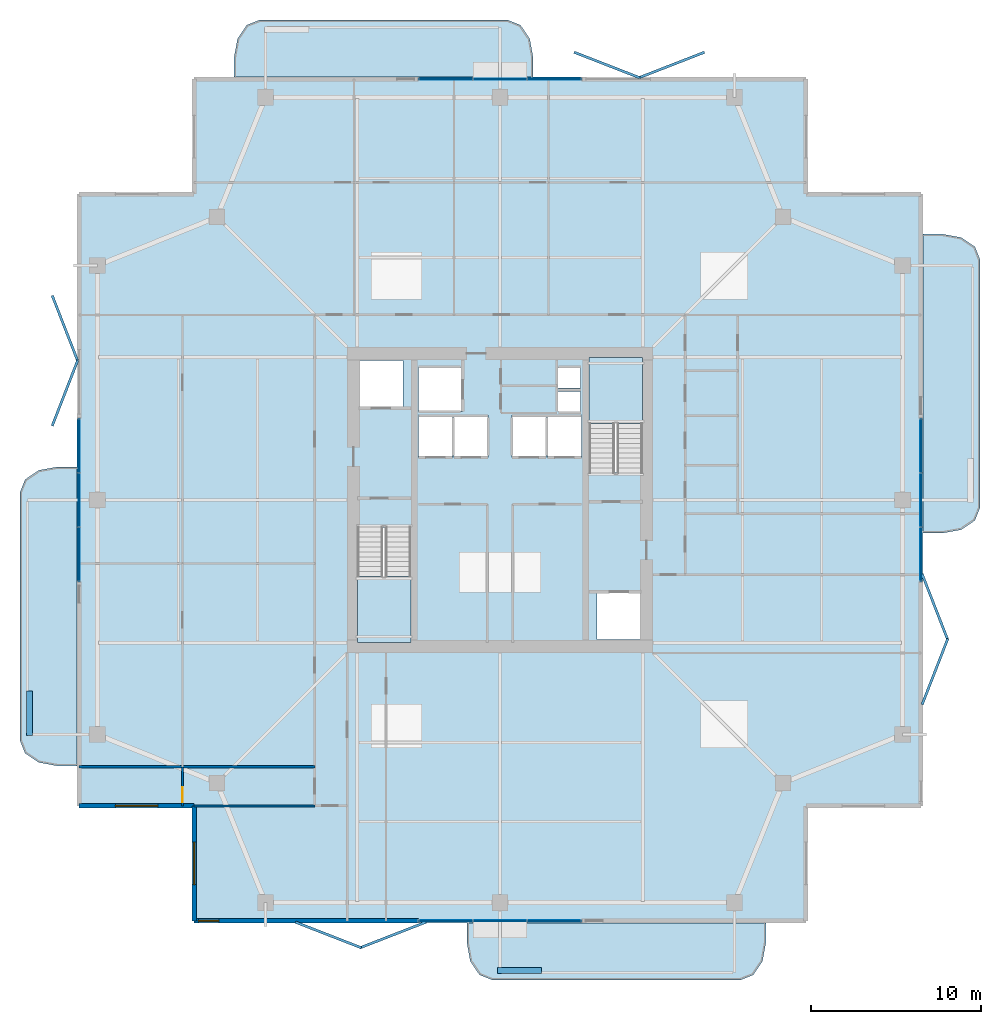
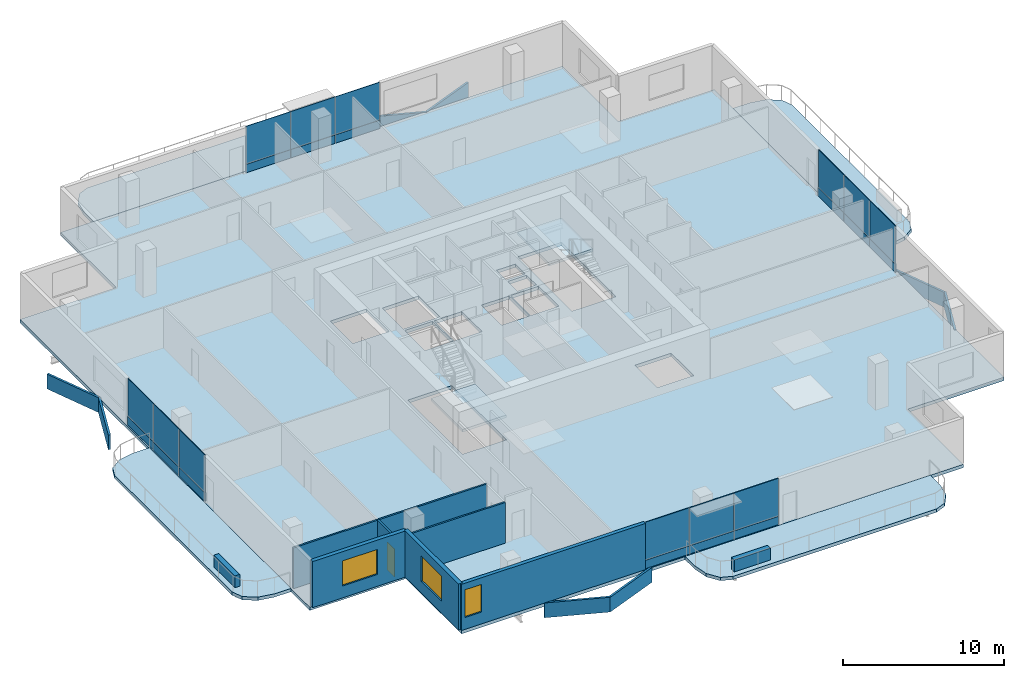
# One storey, part 17 of 25: 32 plates, 8 walls, 7 slabs, 3 windows, 1 door, 4 openings, 6 elements without a shape of their own.
"""IFC4 building model written with IfcOpenShell, lengths in metres."""

from ifc_helpers import new_model, si_unit, direction, frame, frame_2d, origin, origin_2d, place, context, subcontext, project, spatial, polyline, rectangle, outline, extrude, material, layer, layer_set, type_object, element, fill, aggregate, save


model = new_model("IFC4")

# Units and contexts
model_context = context("Model", 3, precision=1e-05, world=origin(), true_north=direction((0.0, 1.0)))
body_context = subcontext(model_context, "Body", "Model", "MODEL_VIEW")
ifc_project = project(units=[si_unit("LENGTHUNIT", "METRE"), si_unit("AREAUNIT", "SQUARE_METRE"), si_unit("VOLUMEUNIT", "CUBIC_METRE"), si_unit("PLANEANGLEUNIT", "RADIAN"), si_unit("MASSUNIT", "GRAM", prefix="KILO")], contexts=[model_context])

# Site, building, storey
site_placement = place(None, origin())
site = spatial("IfcSite", under=ifc_project, at=site_placement, CompositionType="ELEMENT")
building_placement = place(site_placement, origin())
building = spatial("IfcBuilding", under=site, at=building_placement, Name="Belovzor Exchange Tower", CompositionType="ELEMENT")
storey_placement = place(building_placement, frame((0.0, 0.0, 269.10009765625)))
storey = spatial("IfcBuildingStorey", under=building, at=storey_placement, Name="L67", CompositionType="ELEMENT", Elevation=269.10009765625)

# Slab
ifc_material_1 = material(Name="Concrete C40/50", Category="concrete")
ifc_layer_1 = layer(ifc_material_1, 0.25)
ifc_layer_set_1 = layer_set([ifc_layer_1], Name="Concrete C40/50")
slab_type_1 = type_object("IfcSlabType", Name="Composite Concrete Floor Deck Slab 250", PredefinedType="FLOOR", material=ifc_layer_set_1)
slab_1_placement = place(storey_placement, frame((0.0, 0.0, -0.25)))
element("IfcSlab", 1, at=slab_1_placement, inside=storey, type_object=slab_type_1, Name="SL-F250 Structural Slab L67", PredefinedType="FLOOR", context=body_context, shape_type="SweptSolid", body=[
    extrude(outline(polyline([(10.800048828125, 3.89990234375), (46.800048828125, 3.89990234375), (46.800048828125, 10.800048828125), (53.699951171875, 10.800048828125), (53.699951171875, 46.800048828125), (46.800048828125, 46.800048828125), (46.800048828125, 53.699951171875), (10.800048828125, 53.699951171875), (10.800048828125, 46.800048828125), (3.89990234375, 46.800048828125), (3.89990234375, 10.800048828125), (10.800048828125, 10.800048828125), (10.800048828125, 3.89990234375)]), holes=[polyline([(20.39990234375, 27.175048828125), (20.39990234375, 20.39990234375), (23.550048828125, 20.39990234375), (23.550048828125, 27.175048828125), (20.39990234375, 27.175048828125)]), polyline([(37.199951171875, 30.425048828125), (37.199951171875, 37.199951171875), (34.050048828125, 37.199951171875), (34.050048828125, 30.425048828125), (37.199951171875, 30.425048828125)]), polyline([(20.5, 34.199951171875), (23.10009765625, 34.199951171875), (23.10009765625, 37.0), (20.5, 37.0), (20.5, 34.199951171875)]), polyline([(34.5, 20.60009765625), (37.10009765625, 20.60009765625), (37.10009765625, 23.39990234375), (34.5, 23.39990234375), (34.5, 20.60009765625)]), polyline([(24.0, 34.0), (26.60009765625, 34.0), (26.60009765625, 36.60009765625), (24.0, 36.60009765625), (24.0, 34.0)]), polyline([(24.0, 31.300048828125), (26.0, 31.300048828125), (26.0, 33.800048828125), (24.0, 33.800048828125), (24.0, 31.300048828125)]), polyline([(26.10009765625, 31.300048828125), (28.10009765625, 31.300048828125), (28.10009765625, 33.800048828125), (26.10009765625, 33.800048828125), (26.10009765625, 31.300048828125)]), polyline([(29.5, 31.300048828125), (31.5, 31.300048828125), (31.5, 33.800048828125), (29.5, 33.800048828125), (29.5, 31.300048828125)]), polyline([(31.60009765625, 31.300048828125), (33.60009765625, 31.300048828125), (33.60009765625, 33.800048828125), (31.60009765625, 33.800048828125), (31.60009765625, 31.300048828125)]), polyline([(32.199951171875, 34.0), (33.550048828125, 34.0), (33.550048828125, 35.199951171875), (32.199951171875, 35.199951171875), (32.199951171875, 34.0)]), polyline([(32.199951171875, 35.39990234375), (33.550048828125, 35.39990234375), (33.550048828125, 36.60009765625), (32.199951171875, 36.60009765625), (32.199951171875, 35.39990234375)])]), origin(), (0.0, 0.0, 1.0), 0.25),
])

# Curtain wall, plates
ifc_material_2 = material(Name="Anodised Aluminium Framing", Category="aluminium")
ifc_layer_2 = layer(ifc_material_2, 0.179931640625)
ifc_layer_set_2 = layer_set([ifc_layer_2], Name="Anodised Aluminium Framing")
curtain_wall_type = type_object("IfcCurtainWallType", Name="Recessed Loggia Low-Iron Triple-Glazed Curtain Wall", PredefinedType="NOTDEFINED", material=ifc_layer_set_2)
curtain_wall_1_placement = place(storey_placement, origin())
curtain_wall_1 = element("IfcCurtainWall", 2, at=curtain_wall_1_placement, inside=storey, type_object=curtain_wall_type, Name="CW3 Recessed Loggia Low-Iron Triple-Glazed Curtain Wall L67", PredefinedType="NOTDEFINED")
ifc_material_3 = material(Name="Solar-Control Triple Glazing", Category="glass")
ifc_layer_3 = layer(ifc_material_3, 0.0439453125)
ifc_layer_set_3 = layer_set([ifc_layer_3], Name="Solar-Control Triple Glazing")
plate_type_1 = type_object("IfcPlateType", Name="Insulated Solar Glazing Curtain Panel 44", PredefinedType="CURTAIN_PANEL", material=ifc_layer_set_3)
plate_1_placement = place(storey_placement, frame((32.0, 4.030029296875, 0.6318359375), z_axis=(0.0, 0.0, 1.0), x_axis=(-1.0, 0.0, 0.0)))
plate_1 = element("IfcPlate", 3, at=plate_1_placement, type_object=plate_type_1, Name="GLZ-44 Glazed Curtain Panel 1", PredefinedType="CURTAIN_PANEL", context=body_context, shape_type="SweptSolid", body=[
    extrude(rectangle(XDim=3.18408203125, YDim=0.0439453125, at=origin_2d()), origin(), (0.0, 0.0, 1.0), 2.867919921875),
])
plate_2_placement = place(storey_placement, frame((28.800048828125, 4.030029296875, 0.6318359375), z_axis=(0.0, 0.0, 1.0), x_axis=(-1.0, 0.0, 0.0)))
plate_2 = element("IfcPlate", 4, at=plate_2_placement, type_object=plate_type_1, Name="GLZ-44 Glazed Curtain Panel 2", PredefinedType="CURTAIN_PANEL", context=body_context, shape_type="SweptSolid", body=[
    extrude(rectangle(XDim=3.18408203125, YDim=0.0439453125, at=origin_2d()), origin(), (0.0, 0.0, 1.0), 2.867919921875),
])
plate_3_placement = place(storey_placement, frame((25.60009765625, 4.030029296875, 0.6318359375), z_axis=(0.0, 0.0, 1.0), x_axis=(-1.0, 0.0, 0.0)))
plate_3 = element("IfcPlate", 5, at=plate_3_placement, type_object=plate_type_1, Name="GLZ-44 Glazed Curtain Panel 3", PredefinedType="CURTAIN_PANEL", context=body_context, shape_type="SweptSolid", body=[
    extrude(rectangle(XDim=3.18408203125, YDim=0.0439453125, at=origin_2d()), origin(), (0.0, 0.0, 1.0), 2.867919921875),
])

curtain_wall_2_placement = place(storey_placement, origin())
curtain_wall_2 = element("IfcCurtainWall", 6, at=curtain_wall_2_placement, inside=storey, type_object=curtain_wall_type, Name="CW3 Recessed Loggia Low-Iron Triple-Glazed Curtain Wall L67", PredefinedType="NOTDEFINED")
plate_4_placement = place(storey_placement, frame((25.60009765625, 53.570068359375, 0.6318359375), z_axis=(0.0, 0.0, 1.0), x_axis=(1.0, 0.0, 0.0)))
plate_4 = element("IfcPlate", 7, at=plate_4_placement, type_object=plate_type_1, Name="GLZ-44 Glazed Curtain Panel 1", PredefinedType="CURTAIN_PANEL", context=body_context, shape_type="SweptSolid", body=[
    extrude(rectangle(XDim=3.18408203125, YDim=0.0439453125, at=origin_2d()), origin(), (0.0, 0.0, 1.0), 2.867919921875),
])
plate_5_placement = place(storey_placement, frame((28.800048828125, 53.570068359375, 0.6318359375), z_axis=(0.0, 0.0, 1.0), x_axis=(1.0, 0.0, 0.0)))
plate_5 = element("IfcPlate", 8, at=plate_5_placement, type_object=plate_type_1, Name="GLZ-44 Glazed Curtain Panel 2", PredefinedType="CURTAIN_PANEL", context=body_context, shape_type="SweptSolid", body=[
    extrude(rectangle(XDim=3.18408203125, YDim=0.0439453125, at=origin_2d()), origin(), (0.0, 0.0, 1.0), 2.867919921875),
])
plate_6_placement = place(storey_placement, frame((32.0, 53.570068359375, 0.6318359375), z_axis=(0.0, 0.0, 1.0), x_axis=(1.0, 0.0, 0.0)))
plate_6 = element("IfcPlate", 9, at=plate_6_placement, type_object=plate_type_1, Name="GLZ-44 Glazed Curtain Panel 3", PredefinedType="CURTAIN_PANEL", context=body_context, shape_type="SweptSolid", body=[
    extrude(rectangle(XDim=3.18408203125, YDim=0.0439453125, at=origin_2d()), origin(), (0.0, 0.0, 1.0), 2.867919921875),
])

curtain_wall_3_placement = place(storey_placement, origin())
curtain_wall_3 = element("IfcCurtainWall", 10, at=curtain_wall_3_placement, inside=storey, type_object=curtain_wall_type, Name="CW3 Recessed Loggia Low-Iron Triple-Glazed Curtain Wall L67", PredefinedType="NOTDEFINED")
plate_7_placement = place(storey_placement, frame((4.030029296875, 25.60009765625, 0.6318359375), z_axis=(0.0, 0.0, 1.0), x_axis=(0.0, 1.0, 0.0)))
plate_7 = element("IfcPlate", 11, at=plate_7_placement, type_object=plate_type_1, Name="GLZ-44 Glazed Curtain Panel 1", PredefinedType="CURTAIN_PANEL", context=body_context, shape_type="SweptSolid", body=[
    extrude(rectangle(XDim=3.18408203125, YDim=0.0439453125, at=origin_2d()), origin(), (0.0, 0.0, 1.0), 2.867919921875),
])
plate_8_placement = place(storey_placement, frame((4.030029296875, 28.800048828125, 0.6318359375), z_axis=(0.0, 0.0, 1.0), x_axis=(0.0, 1.0, 0.0)))
plate_8 = element("IfcPlate", 12, at=plate_8_placement, type_object=plate_type_1, Name="GLZ-44 Glazed Curtain Panel 2", PredefinedType="CURTAIN_PANEL", context=body_context, shape_type="SweptSolid", body=[
    extrude(rectangle(XDim=3.18408203125, YDim=0.0439453125, at=origin_2d()), origin(), (0.0, 0.0, 1.0), 2.867919921875),
])
plate_9_placement = place(storey_placement, frame((4.030029296875, 32.0, 0.6318359375), z_axis=(0.0, 0.0, 1.0), x_axis=(0.0, 1.0, 0.0)))
plate_9 = element("IfcPlate", 13, at=plate_9_placement, type_object=plate_type_1, Name="GLZ-44 Glazed Curtain Panel 3", PredefinedType="CURTAIN_PANEL", context=body_context, shape_type="SweptSolid", body=[
    extrude(rectangle(XDim=3.18408203125, YDim=0.0439453125, at=origin_2d()), origin(), (0.0, 0.0, 1.0), 2.867919921875),
])

curtain_wall_4_placement = place(storey_placement, origin())
curtain_wall_4 = element("IfcCurtainWall", 14, at=curtain_wall_4_placement, inside=storey, type_object=curtain_wall_type, Name="CW3 Recessed Loggia Low-Iron Triple-Glazed Curtain Wall L67", PredefinedType="NOTDEFINED")
plate_10_placement = place(storey_placement, frame((53.570068359375, 32.0, 0.6318359375), z_axis=(0.0, 0.0, 1.0), x_axis=(0.0, -1.0, 0.0)))
plate_10 = element("IfcPlate", 15, at=plate_10_placement, type_object=plate_type_1, Name="GLZ-44 Glazed Curtain Panel 1", PredefinedType="CURTAIN_PANEL", context=body_context, shape_type="SweptSolid", body=[
    extrude(rectangle(XDim=3.18408203125, YDim=0.0439453125, at=origin_2d()), origin(), (0.0, 0.0, 1.0), 2.867919921875),
])
plate_11_placement = place(storey_placement, frame((53.570068359375, 28.800048828125, 0.6318359375), z_axis=(0.0, 0.0, 1.0), x_axis=(0.0, -1.0, 0.0)))
plate_11 = element("IfcPlate", 16, at=plate_11_placement, type_object=plate_type_1, Name="GLZ-44 Glazed Curtain Panel 2", PredefinedType="CURTAIN_PANEL", context=body_context, shape_type="SweptSolid", body=[
    extrude(rectangle(XDim=3.18408203125, YDim=0.0439453125, at=origin_2d()), origin(), (0.0, 0.0, 1.0), 2.867919921875),
])
plate_12_placement = place(storey_placement, frame((53.570068359375, 25.60009765625, 0.6318359375), z_axis=(0.0, 0.0, 1.0), x_axis=(0.0, -1.0, 0.0)))
plate_12 = element("IfcPlate", 17, at=plate_12_placement, type_object=plate_type_1, Name="GLZ-44 Glazed Curtain Panel 3", PredefinedType="CURTAIN_PANEL", context=body_context, shape_type="SweptSolid", body=[
    extrude(rectangle(XDim=3.18408203125, YDim=0.0439453125, at=origin_2d()), origin(), (0.0, 0.0, 1.0), 2.867919921875),
])

# Stair, slab
ifc_material_4 = material(Name="Concrete C40/50", Category="concrete")
stair_type = type_object("IfcStairType", Name="Reinforced Concrete Dogleg Escape Stair 1350", PredefinedType="HALF_TURN_STAIR", material=ifc_material_4)
stair_1_placement = place(storey_placement, origin())
stair_1 = element("IfcStair", 18, at=stair_1_placement, inside=storey, type_object=stair_type, Name="L67 ST-1", PredefinedType="HALF_TURN_STAIR")
ifc_material_5 = material(Name="Concrete C40/50", Category="concrete")
ifc_layer_4 = layer(ifc_material_5, 0.199951171875)
ifc_layer_set_4 = layer_set([ifc_layer_4], Name="Concrete C40/50")
slab_type_2 = type_object("IfcSlabType", Name="Reinforced Concrete Stair Half-Landing Slab 200", PredefinedType="LANDING", material=ifc_layer_set_4)
slab_2_placement = place(storey_placement, frame((0.0, 0.0, 1.6748046875)))
slab_2 = element("IfcSlab", 19, at=slab_2_placement, type_object=slab_type_2, Name="ST-1 landing 1", PredefinedType="LANDING", context=body_context, shape_type="SweptSolid", body=[
    extrude(outline(polyline([(20.39990234375, 24.300048828125), (20.39990234375, 20.39990234375), (23.550048828125, 20.39990234375), (23.550048828125, 24.300048828125), (20.39990234375, 24.300048828125)])), origin(), (0.0, 0.0, 1.0), 0.2001953125),
])
aggregate(stair_1, [slab_2])

stair_2_placement = place(storey_placement, origin())
stair_2 = element("IfcStair", 20, at=stair_2_placement, inside=storey, type_object=stair_type, Name="L67 ST-2", PredefinedType="HALF_TURN_STAIR")
slab_3_placement = place(storey_placement, frame((0.0, 0.0, 1.6748046875)))
slab_3 = element("IfcSlab", 21, at=slab_3_placement, type_object=slab_type_2, Name="ST-2 landing 1", PredefinedType="LANDING", context=body_context, shape_type="SweptSolid", body=[
    extrude(outline(polyline([(37.199951171875, 33.300048828125), (37.199951171875, 37.199951171875), (34.050048828125, 37.199951171875), (34.050048828125, 33.300048828125), (37.199951171875, 33.300048828125)])), origin(), (0.0, 0.0, 1.0), 0.2001953125),
])
aggregate(stair_2, [slab_3])

# Plate
ifc_material_6 = material(Name="Extruded Architectural Terracotta", Category="masonry")
ifc_layer_5 = layer(ifc_material_6, 0.090087890625)
ifc_layer_set_5 = layer_set([ifc_layer_5], Name="Extruded Architectural Terracotta")
plate_type_2 = type_object("IfcPlateType", Name="Terracotta Shadow-Box Spandrel Panel 90", PredefinedType="CURTAIN_PANEL", material=ifc_layer_set_5)
plate_13_placement = place(storey_placement, frame((32.0, 4.030029296875, 0.0), z_axis=(0.0, 0.0, 1.0), x_axis=(-1.0, 0.0, 0.0)))
plate_13 = element("IfcPlate", 22, at=plate_13_placement, type_object=plate_type_2, Name="SPD-90 Spandrel Panel 1", PredefinedType="CURTAIN_PANEL", context=body_context, shape_type="SweptSolid", body=[
    extrude(rectangle(XDim=3.18408203125, YDim=0.090087890625, at=origin_2d()), origin(), (0.0, 0.0, 1.0), 0.6279296875),
])

plate_14_placement = place(storey_placement, frame((28.800048828125, 4.030029296875, 0.0), z_axis=(0.0, 0.0, 1.0), x_axis=(-1.0, 0.0, 0.0)))
plate_14 = element("IfcPlate", 23, at=plate_14_placement, type_object=plate_type_2, Name="SPD-90 Spandrel Panel 2", PredefinedType="CURTAIN_PANEL", context=body_context, shape_type="SweptSolid", body=[
    extrude(rectangle(XDim=3.18408203125, YDim=0.090087890625, at=origin_2d()), origin(), (0.0, 0.0, 1.0), 0.6279296875),
])

plate_15_placement = place(storey_placement, frame((25.60009765625, 4.030029296875, 0.0), z_axis=(0.0, 0.0, 1.0), x_axis=(-1.0, 0.0, 0.0)))
plate_15 = element("IfcPlate", 24, at=plate_15_placement, type_object=plate_type_2, Name="SPD-90 Spandrel Panel 3", PredefinedType="CURTAIN_PANEL", context=body_context, shape_type="SweptSolid", body=[
    extrude(rectangle(XDim=3.18408203125, YDim=0.090087890625, at=origin_2d()), origin(), (0.0, 0.0, 1.0), 0.6279296875),
])

aggregate(curtain_wall_1, [plate_13, plate_1, plate_14, plate_2, plate_15, plate_3])

plate_16_placement = place(storey_placement, frame((25.60009765625, 53.570068359375, 0.0), z_axis=(0.0, 0.0, 1.0), x_axis=(1.0, 0.0, 0.0)))
plate_16 = element("IfcPlate", 25, at=plate_16_placement, type_object=plate_type_2, Name="SPD-90 Spandrel Panel 1", PredefinedType="CURTAIN_PANEL", context=body_context, shape_type="SweptSolid", body=[
    extrude(rectangle(XDim=3.18408203125, YDim=0.090087890625, at=origin_2d()), origin(), (0.0, 0.0, 1.0), 0.6279296875),
])

plate_17_placement = place(storey_placement, frame((28.800048828125, 53.570068359375, 0.0), z_axis=(0.0, 0.0, 1.0), x_axis=(1.0, 0.0, 0.0)))
plate_17 = element("IfcPlate", 26, at=plate_17_placement, type_object=plate_type_2, Name="SPD-90 Spandrel Panel 2", PredefinedType="CURTAIN_PANEL", context=body_context, shape_type="SweptSolid", body=[
    extrude(rectangle(XDim=3.18408203125, YDim=0.090087890625, at=origin_2d()), origin(), (0.0, 0.0, 1.0), 0.6279296875),
])

plate_18_placement = place(storey_placement, frame((32.0, 53.570068359375, 0.0), z_axis=(0.0, 0.0, 1.0), x_axis=(1.0, 0.0, 0.0)))
plate_18 = element("IfcPlate", 27, at=plate_18_placement, type_object=plate_type_2, Name="SPD-90 Spandrel Panel 3", PredefinedType="CURTAIN_PANEL", context=body_context, shape_type="SweptSolid", body=[
    extrude(rectangle(XDim=3.18408203125, YDim=0.090087890625, at=origin_2d()), origin(), (0.0, 0.0, 1.0), 0.6279296875),
])

aggregate(curtain_wall_2, [plate_16, plate_4, plate_17, plate_5, plate_18, plate_6])

plate_19_placement = place(storey_placement, frame((4.030029296875, 25.60009765625, 0.0), z_axis=(0.0, 0.0, 1.0), x_axis=(0.0, 1.0, 0.0)))
plate_19 = element("IfcPlate", 28, at=plate_19_placement, type_object=plate_type_2, Name="SPD-90 Spandrel Panel 1", PredefinedType="CURTAIN_PANEL", context=body_context, shape_type="SweptSolid", body=[
    extrude(rectangle(XDim=3.18408203125, YDim=0.090087890625, at=origin_2d()), origin(), (0.0, 0.0, 1.0), 0.6279296875),
])

plate_20_placement = place(storey_placement, frame((4.030029296875, 28.800048828125, 0.0), z_axis=(0.0, 0.0, 1.0), x_axis=(0.0, 1.0, 0.0)))
plate_20 = element("IfcPlate", 29, at=plate_20_placement, type_object=plate_type_2, Name="SPD-90 Spandrel Panel 2", PredefinedType="CURTAIN_PANEL", context=body_context, shape_type="SweptSolid", body=[
    extrude(rectangle(XDim=3.18408203125, YDim=0.090087890625, at=origin_2d()), origin(), (0.0, 0.0, 1.0), 0.6279296875),
])

plate_21_placement = place(storey_placement, frame((4.030029296875, 32.0, 0.0), z_axis=(0.0, 0.0, 1.0), x_axis=(0.0, 1.0, 0.0)))
plate_21 = element("IfcPlate", 30, at=plate_21_placement, type_object=plate_type_2, Name="SPD-90 Spandrel Panel 3", PredefinedType="CURTAIN_PANEL", context=body_context, shape_type="SweptSolid", body=[
    extrude(rectangle(XDim=3.18408203125, YDim=0.090087890625, at=origin_2d()), origin(), (0.0, 0.0, 1.0), 0.6279296875),
])

aggregate(curtain_wall_3, [plate_19, plate_7, plate_20, plate_8, plate_21, plate_9])

plate_22_placement = place(storey_placement, frame((53.570068359375, 32.0, 0.0), z_axis=(0.0, 0.0, 1.0), x_axis=(0.0, -1.0, 0.0)))
plate_22 = element("IfcPlate", 31, at=plate_22_placement, type_object=plate_type_2, Name="SPD-90 Spandrel Panel 1", PredefinedType="CURTAIN_PANEL", context=body_context, shape_type="SweptSolid", body=[
    extrude(rectangle(XDim=3.18408203125, YDim=0.090087890625, at=origin_2d()), origin(), (0.0, 0.0, 1.0), 0.6279296875),
])

plate_23_placement = place(storey_placement, frame((53.570068359375, 28.800048828125, 0.0), z_axis=(0.0, 0.0, 1.0), x_axis=(0.0, -1.0, 0.0)))
plate_23 = element("IfcPlate", 32, at=plate_23_placement, type_object=plate_type_2, Name="SPD-90 Spandrel Panel 2", PredefinedType="CURTAIN_PANEL", context=body_context, shape_type="SweptSolid", body=[
    extrude(rectangle(XDim=3.18408203125, YDim=0.090087890625, at=origin_2d()), origin(), (0.0, 0.0, 1.0), 0.6279296875),
])

plate_24_placement = place(storey_placement, frame((53.570068359375, 25.60009765625, 0.0), z_axis=(0.0, 0.0, 1.0), x_axis=(0.0, -1.0, 0.0)))
plate_24 = element("IfcPlate", 33, at=plate_24_placement, type_object=plate_type_2, Name="SPD-90 Spandrel Panel 3", PredefinedType="CURTAIN_PANEL", context=body_context, shape_type="SweptSolid", body=[
    extrude(rectangle(XDim=3.18408203125, YDim=0.090087890625, at=origin_2d()), origin(), (0.0, 0.0, 1.0), 0.6279296875),
])

aggregate(curtain_wall_4, [plate_22, plate_10, plate_23, plate_11, plate_24, plate_12])

# Slabs
ifc_material_7 = material(Name="Concrete C40/50", Category="concrete")
ifc_layer_6 = layer(ifc_material_7, 0.25)
ifc_layer_set_6 = layer_set([ifc_layer_6], Name="Concrete C40/50")
slab_type_3 = type_object("IfcSlabType", Name="Thermally Broken Planted Balcony Slab 250", PredefinedType="FLOOR", material=ifc_layer_set_6)
slab_4_placement = place(storey_placement, frame((0.0, 0.0, -0.25)))
element("IfcSlab", 34, at=slab_4_placement, inside=storey, type_object=slab_type_3, Name="SL-BAL220 Planted Balcony Loggia L67 South", PredefinedType="FLOOR", context=body_context, shape_type="SweptSolid", body=[
    extrude(outline(polyline([(26.85009765625, 3.9150390625), (26.85009765625, 2.75), (27.051025390625, 1.64990234375), (27.60009765625, 0.844970703125), (28.35009765625, 0.550048828125), (42.949951171875, 0.550048828125), (43.699951171875, 0.844970703125), (44.2490234375, 1.64990234375), (44.449951171875, 2.75), (44.449951171875, 3.9150390625), (26.85009765625, 3.9150390625)])), origin(), (0.0, 0.0, 1.0), 0.25),
])
slab_5_placement = place(storey_placement, frame((0.0, 0.0, -0.25)))
element("IfcSlab", 35, at=slab_5_placement, inside=storey, type_object=slab_type_3, Name="SL-BAL220 Planted Balcony Loggia L67 North", PredefinedType="FLOOR", context=body_context, shape_type="SweptSolid", body=[
    extrude(outline(polyline([(30.75, 53.68505859375), (30.75, 54.85009765625), (30.549072265625, 55.949951171875), (30.0, 56.7548828125), (29.25, 57.050048828125), (14.64990234375, 57.050048828125), (13.89990234375, 56.7548828125), (13.35107421875, 55.949951171875), (13.14990234375, 54.85009765625), (13.14990234375, 53.68505859375), (30.75, 53.68505859375)])), origin(), (0.0, 0.0, 1.0), 0.25),
])
slab_6_placement = place(storey_placement, frame((0.0, 0.0, -0.25)))
element("IfcSlab", 36, at=slab_6_placement, inside=storey, type_object=slab_type_3, Name="SL-BAL220 Planted Balcony Loggia L67 East", PredefinedType="FLOOR", context=body_context, shape_type="SweptSolid", body=[
    extrude(outline(polyline([(53.68505859375, 26.85009765625), (54.85009765625, 26.85009765625), (55.949951171875, 27.051025390625), (56.7548828125, 27.60009765625), (57.050048828125, 28.35009765625), (57.050048828125, 42.949951171875), (56.7548828125, 43.699951171875), (55.949951171875, 44.2490234375), (54.85009765625, 44.449951171875), (53.68505859375, 44.449951171875), (53.68505859375, 26.85009765625)])), origin(), (0.0, 0.0, 1.0), 0.25),
])
slab_7_placement = place(storey_placement, frame((0.0, 0.0, -0.25)))
element("IfcSlab", 37, at=slab_7_placement, inside=storey, type_object=slab_type_3, Name="SL-BAL220 Planted Balcony Loggia L67 West", PredefinedType="FLOOR", context=body_context, shape_type="SweptSolid", body=[
    extrude(outline(polyline([(3.9150390625, 30.75), (2.75, 30.75), (1.64990234375, 30.549072265625), (0.844970703125, 30.0), (0.550048828125, 29.25), (0.550048828125, 14.64990234375), (0.844970703125, 13.89990234375), (1.64990234375, 13.35107421875), (2.75, 13.14990234375), (3.9150390625, 13.14990234375), (3.9150390625, 30.75)])), origin(), (0.0, 0.0, 1.0), 0.25),
])

# Plates
ifc_material_8 = material(Name="Extruded Architectural Terracotta", Category="masonry")
ifc_layer_7 = layer(ifc_material_8, 0.14990234375)
ifc_layer_set_7 = layer_set([ifc_layer_7], Name="Extruded Architectural Terracotta")
plate_type_3 = type_object("IfcPlateType", Name="Upper-Crown Deep Folded Zigzag Terracotta Spandrel Louvre 150", PredefinedType="USERDEFINED", material=ifc_layer_set_7)
for number, where, z_axis, x_axis, name in (
    (38, (18.699951171875, 3.199951171875, -1.105224609375), (0.0, 0.0, 1.0), (0.931817969421, -0.362925986758, 0.0), "LVR-ZZ3 Zigzag Terracotta Spandrel Louvre L67 S1A"),
    (39, (22.5, 3.199951171875, -1.105224609375), (0.0, 0.0, 1.0), (0.931817969421, 0.362925986758, 0.0), "LVR-ZZ3 Zigzag Terracotta Spandrel Louvre L67 S1B"),
    (40, (54.39990234375, 18.699951171875, -1.105224609375), (0.0, 0.0, 1.0), (0.362925986758, 0.931817969421, 0.0), "LVR-ZZ3 Zigzag Terracotta Spandrel Louvre L67 E1A"),
    (41, (54.39990234375, 22.5, -1.105224609375), (0.0, 0.0, 1.0), (-0.362925986758, 0.931817969421, 0.0), "LVR-ZZ3 Zigzag Terracotta Spandrel Louvre L67 E1B"),
    (42, (35.10009765625, 54.39990234375, -1.105224609375), (0.0, 0.0, 1.0), (0.931817969421, -0.362925986758, 0.0), "LVR-ZZ3 Zigzag Terracotta Spandrel Louvre L67 N2A"),
    (43, (38.89990234375, 54.39990234375, -1.105224609375), (0.0, 0.0, 1.0), (0.931817969421, 0.362925986758, 0.0), "LVR-ZZ3 Zigzag Terracotta Spandrel Louvre L67 N2B"),
    (44, (3.199951171875, 35.10009765625, -1.105224609375), (0.0, 0.0, 1.0), (0.362925986758, 0.931817969421, 0.0), "LVR-ZZ3 Zigzag Terracotta Spandrel Louvre L67 W2A"),
    (45, (3.199951171875, 38.89990234375, -1.105224609375), (0.0, 0.0, 1.0), (-0.362925986758, 0.931817969421, 0.0), "LVR-ZZ3 Zigzag Terracotta Spandrel Louvre L67 W2B"),
):
    element("IfcPlate", number, at=place(storey_placement, frame(where, z_axis=z_axis, x_axis=x_axis)), inside=storey, type_object=plate_type_3, Name=name, ObjectType="SPANDREL_LOUVRE", PredefinedType="USERDEFINED", context=body_context, shape_type="SweptSolid", body=[
        extrude(rectangle(XDim=4.157958984375, YDim=0.14990234375, at=origin_2d()), origin(), (0.0, 0.0, 1.0), 1.1201171875),
    ])

# Wall, opening, door
ifc_material_9 = material(Name="Acoustic Plasterboard on Galvanised Studs", Category="gypsum")
ifc_layer_8 = layer(ifc_material_9, 0.1201171875)
ifc_layer_set_8 = layer_set([ifc_layer_8], Name="Acoustic Plasterboard on Galvanised Studs")
wall_type_1 = type_object("IfcWallType", Name="Acoustic Double-Stud Partition Wall 120", PredefinedType="PARTITIONING", material=ifc_layer_set_8)
wall_1_placement = place(storey_placement, frame((10.114990234375, 10.800048828125, 0.0), z_axis=(0.0, 0.0, 1.0), x_axis=(0.0, 1.0, 0.0)))
wall_1 = element("IfcWall", 46, at=wall_1_placement, inside=storey, type_object=wall_type_1, Name="W-P120 Partition Wall W-L67-WHDIV-0", PredefinedType="PARTITIONING", context=body_context, shape_type="SweptSolid", body=[
    extrude(rectangle(XDim=2.300048828125, YDim=0.1201171875, at=frame_2d((1.14990234375, 0.0))), origin(), (0.0, 0.0, 1.0), 3.0849609375),
])
opening_1_placement = place(wall_1_placement, frame((0.199951171875, 0.0, 0.0)))
opening_1 = element("IfcOpeningElement", 47, at=opening_1_placement, cuts=wall_1, Name="Opening D-INT-090", PredefinedType="OPENING", context=body_context, shape_type="SweptSolid", body=[
    extrude(rectangle(XDim=0.89990234375, YDim=2.10009765625, at=frame_2d((0.449951171875, 1.050048828125))), frame((0.0, 0.070068359375, 0.0), z_axis=(0.0, -1.0, 0.0), x_axis=(1.0, 0.0, 0.0)), (0.0, 0.0, 1.0), 0.14013671875),
])
ifc_material_10 = material(Name="Veneered Hardwood Acoustic Leaf", Category="wood")
door_type = type_object("IfcDoorType", Name="Trading Suite Acoustic Single Door 900x2100", OperationType="NOTDEFINED", PredefinedType="DOOR", material=ifc_material_10)
door_placement = place(opening_1_placement, origin())
door = element("IfcDoor", 48, at=door_placement, inside=storey, type_object=door_type, Name="D-INT-090 Trading Suite Acoustic Single Door 900x2100", OperationType="SINGLE_SWING_LEFT", OverallHeight=2.10009765625, OverallWidth=0.89990234375, PredefinedType="DOOR", context=body_context, shape_type="SweptSolid", body=[
    extrude(rectangle(XDim=0.89990234375, YDim=2.10009765625, at=frame_2d((0.449951171875, 1.050048828125))), frame((0.0, 0.02490234375, 0.0), z_axis=(0.0, -1.0, 0.0), x_axis=(1.0, 0.0, 0.0)), (0.0, 0.0, 1.0), 0.050048828125),
])
fill(opening_1, door)

# Walls
wall_2_placement = place(storey_placement, frame((4.030029296875, 13.10009765625, 0.0), z_axis=(0.0, 0.0, 1.0), x_axis=(1.0, 0.0, 0.0)))
element("IfcWall", 49, at=wall_2_placement, inside=storey, type_object=wall_type_1, Name="W-P120 Partition Wall W-L67-WDIV-1", PredefinedType="PARTITIONING", context=body_context, shape_type="SweptSolid", body=[
    extrude(rectangle(XDim=13.869873046875, YDim=0.1201171875, at=frame_2d((6.93505859375, 0.0))), origin(), (0.0, 0.0, 1.0), 3.0849609375),
])
wall_3_placement = place(storey_placement, frame((10.800048828125, 10.800048828125, 0.0), z_axis=(0.0, 0.0, 1.0), x_axis=(1.0, 0.0, 0.0)))
element("IfcWall", 50, at=wall_3_placement, inside=storey, type_object=wall_type_1, Name="W-P120 Partition Wall W-L67-SWS", PredefinedType="PARTITIONING", context=body_context, shape_type="SweptSolid", body=[
    extrude(rectangle(XDim=7.099853515625, YDim=0.1201171875, at=frame_2d((3.5498046875, 0.0))), origin(), (0.0, 0.0, 1.0), 3.0849609375),
])

# Wall, opening, window
ifc_material_11 = material(Name="Precast concrete C40/50", Category="concrete")
ifc_layer_9 = layer(ifc_material_11, 0.280029296875)
ifc_layer_set_9 = layer_set([ifc_layer_9], Name="Precast concrete C40/50")
wall_type_2 = type_object("IfcWallType", Name="Precast Concrete Notched Corner Frame Wall 280", PredefinedType="SOLIDWALL", material=ifc_layer_set_9)
wall_4_placement = place(storey_placement, frame((10.800048828125, 4.030029296875, 0.0), z_axis=(0.0, 0.0, 1.0), x_axis=(0.0, 1.0, 0.0)))
wall_4 = element("IfcWall", 51, at=wall_4_placement, inside=storey, type_object=wall_type_2, Name="W-CRN280 Precast Concrete Notched Corner Frame Wall 280 L67", PredefinedType="SOLIDWALL", context=body_context, shape_type="SweptSolid", body=[
    extrude(rectangle(XDim=6.77001953125, YDim=0.280029296875, at=frame_2d((3.385009765625, 0.0))), origin(), (0.0, 0.0, 1.0), 3.5),
])
opening_2_placement = place(wall_4_placement, frame((2.135009765625, 0.0, 0.89990234375)))
opening_2 = element("IfcOpeningElement", 52, at=opening_2_placement, cuts=wall_4, Name="Opening WN-CRN250", PredefinedType="OPENING", context=body_context, shape_type="SweptSolid", body=[
    extrude(rectangle(XDim=2.5, YDim=1.89990234375, at=frame_2d((1.25, 0.949951171875))), frame((0.0, 0.14990234375, 0.0), z_axis=(0.0, -1.0, 0.0), x_axis=(1.0, 0.0, 0.0)), (0.0, 0.0, 1.0), 0.300048828125),
])
ifc_material_12 = material(Name="Thermally Broken Aluminium and Triple Glazing", Category="aluminium")
window_type_1 = type_object("IfcWindowType", Name="Streamline Moderne Corner Wrap Ribbon Window 2500x1900", PartitioningType="SINGLE_PANEL", PredefinedType="WINDOW", material=ifc_material_12)
window_1_placement = place(opening_2_placement, origin())
window_1 = element("IfcWindow", 53, at=window_1_placement, inside=storey, type_object=window_type_1, Name="WN-CRN250 Streamline Moderne Corner Wrap Ribbon Window 2500x1900", OverallHeight=1.89990234375, OverallWidth=2.5, PartitioningType="SINGLE_PANEL", PredefinedType="WINDOW", context=body_context, shape_type="SweptSolid", body=[
    extrude(rectangle(XDim=2.5, YDim=1.89990234375, at=frame_2d((1.25, 0.949951171875))), frame((0.0, 0.030029296875, 0.0), z_axis=(0.0, -1.0, 0.0), x_axis=(1.0, 0.0, 0.0)), (0.0, 0.0, 1.0), 0.06005859375),
])
fill(opening_2, window_1)

wall_5_placement = place(storey_placement, frame((10.800048828125, 10.800048828125, 0.0), z_axis=(0.0, 0.0, 1.0), x_axis=(-1.0, 0.0, 0.0)))
wall_5 = element("IfcWall", 54, at=wall_5_placement, inside=storey, type_object=wall_type_2, Name="W-CRN280 Precast Concrete Notched Corner Frame Wall 280 L67", PredefinedType="SOLIDWALL", context=body_context, shape_type="SweptSolid", body=[
    extrude(rectangle(XDim=6.77001953125, YDim=0.280029296875, at=frame_2d((3.385009765625, 0.0))), origin(), (0.0, 0.0, 1.0), 3.5),
])
opening_3_placement = place(wall_5_placement, frame((2.135009765625, 0.0, 0.89990234375)))
opening_3 = element("IfcOpeningElement", 55, at=opening_3_placement, cuts=wall_5, Name="Opening WN-CRN250", PredefinedType="OPENING", context=body_context, shape_type="SweptSolid", body=[
    extrude(rectangle(XDim=2.5, YDim=1.89990234375, at=frame_2d((1.25, 0.949951171875))), frame((0.0, 0.14990234375, 0.0), z_axis=(0.0, -1.0, 0.0), x_axis=(1.0, 0.0, 0.0)), (0.0, 0.0, 1.0), 0.300048828125),
])
window_2_placement = place(opening_3_placement, origin())
window_2 = element("IfcWindow", 56, at=window_2_placement, inside=storey, type_object=window_type_1, Name="WN-CRN250 Streamline Moderne Corner Wrap Ribbon Window 2500x1900", OverallHeight=1.89990234375, OverallWidth=2.5, PartitioningType="SINGLE_PANEL", PredefinedType="WINDOW", context=body_context, shape_type="SweptSolid", body=[
    extrude(rectangle(XDim=2.5, YDim=1.89990234375, at=frame_2d((1.25, 0.949951171875))), frame((0.0, 0.030029296875, 0.0), z_axis=(0.0, -1.0, 0.0), x_axis=(1.0, 0.0, 0.0)), (0.0, 0.0, 1.0), 0.06005859375),
])
fill(opening_3, window_2)

ifc_material_13 = material(Name="Precast concrete C40/50", Category="concrete")
ifc_layer_10 = layer(ifc_material_13, 0.260009765625)
ifc_layer_set_10 = layer_set([ifc_layer_10], Name="Precast concrete C40/50")
wall_type_3 = type_object("IfcWallType", Name="Precast Concrete Perimeter Loggia Frame Wall 260", PredefinedType="SOLIDWALL", material=ifc_layer_set_10)
wall_6_placement = place(storey_placement, frame((24.0, 4.030029296875, 0.0), z_axis=(0.0, 0.0, 1.0), x_axis=(-1.0, 0.0, 0.0)))
wall_6 = element("IfcWall", 57, at=wall_6_placement, inside=storey, type_object=wall_type_3, Name="W-EXT260 Precast Concrete Perimeter Loggia Frame Wall 260 L67", PredefinedType="SOLIDWALL", context=body_context, shape_type="SweptSolid", body=[
    extrude(rectangle(XDim=13.199951171875, YDim=0.260009765625, at=frame_2d((6.60009765625, 0.0))), origin(), (0.0, 0.0, 1.0), 3.5),
])
opening_4_placement = place(wall_6_placement, frame((11.75, 0.0, 0.89990234375)))
opening_4 = element("IfcOpeningElement", 58, at=opening_4_placement, cuts=wall_6, Name="Opening WN-CRN120", PredefinedType="OPENING", context=body_context, shape_type="SweptSolid", body=[
    extrude(rectangle(XDim=1.199951171875, YDim=2.10009765625, at=frame_2d((0.60009765625, 1.050048828125))), frame((0.0, 0.139892578125, 0.0), z_axis=(0.0, -1.0, 0.0), x_axis=(1.0, 0.0, 0.0)), (0.0, 0.0, 1.0), 0.280029296875),
])
ifc_material_14 = material(Name="Thermally Broken Aluminium and Triple Glazing", Category="aluminium")
window_type_2 = type_object("IfcWindowType", Name="Streamline Notched Corner Window 1200x2100", PartitioningType="SINGLE_PANEL", PredefinedType="WINDOW", material=ifc_material_14)
window_3_placement = place(opening_4_placement, origin())
window_3 = element("IfcWindow", 59, at=window_3_placement, inside=storey, type_object=window_type_2, Name="WN-CRN120 Streamline Notched Corner Window 1200x2100", OverallHeight=2.10009765625, OverallWidth=1.199951171875, PartitioningType="SINGLE_PANEL", PredefinedType="WINDOW", context=body_context, shape_type="SweptSolid", body=[
    extrude(rectangle(XDim=1.199951171875, YDim=2.10009765625, at=frame_2d((0.60009765625, 1.050048828125))), frame((0.0, 0.030029296875, 0.0), z_axis=(0.0, -1.0, 0.0), x_axis=(1.0, 0.0, 0.0)), (0.0, 0.0, 1.0), 0.06005859375),
])
fill(opening_4, window_3)

# Walls
ifc_material_15 = material(Name="Precast concrete C40/50", Category="concrete")
ifc_layer_11 = layer(ifc_material_15, 0.35009765625)
ifc_layer_set_11 = layer_set([ifc_layer_11], Name="Precast concrete C40/50")
wall_type_4 = type_object("IfcWallType", Name="Precast Concrete Structural Tree Planter Trough 350", PredefinedType="PARAPET", material=ifc_layer_set_11)
for number, where, z_axis, x_axis, name in (
    (60, (28.64990234375, 1.10009765625, 0.0), (0.0, 0.0, 1.0), (1.0, 0.0, 0.0), "PT-350 Precast Concrete Structural Tree Planter Trough 350 L67"),
    (61, (1.10009765625, 14.949951171875, 0.0), (0.0, 0.0, 1.0), (0.0, 1.0, 0.0), "PT-350 Precast Concrete Structural Tree Planter Trough 350 L67"),
):
    element("IfcWall", number, at=place(storey_placement, frame(where, z_axis=z_axis, x_axis=x_axis)), inside=storey, type_object=wall_type_4, Name=name, PredefinedType="PARAPET", context=body_context, shape_type="SweptSolid", body=[
        extrude(rectangle(XDim=2.60009765625, YDim=0.35009765625, at=frame_2d((1.300048828125, 0.0))), origin(), (0.0, 0.0, 1.0), 0.89990234375),
    ])

save(model, "model.ifc")
